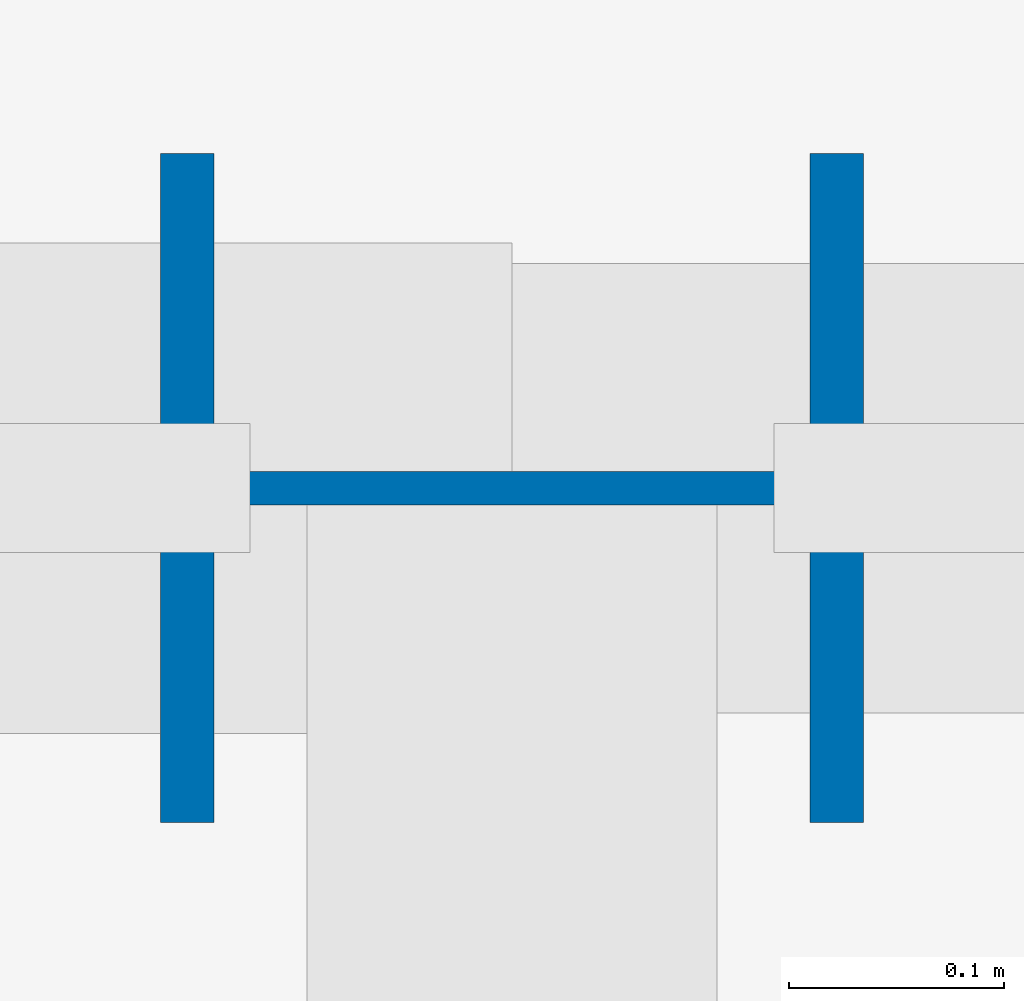
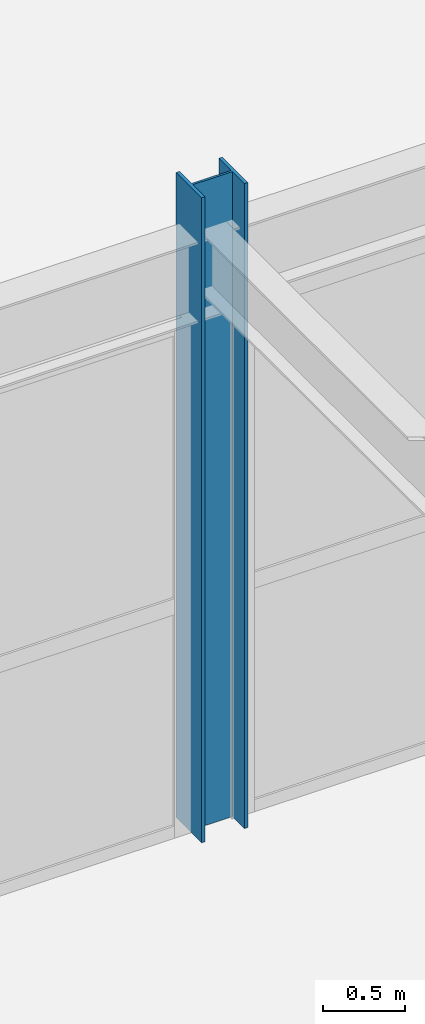
# One storey, part 48 of 199: 1 column.
"""IFC4 building model written with IfcOpenShell, lengths in metres."""

from ifc_helpers import new_model, si_unit, direction, frame, origin, origin_2d, place, context, subcontext, project, spatial, i_section, extrude, material, material_profile, profile_set, type_object, element, save


model = new_model("IFC4")

# Units and contexts
model_context = context("Model", 3, precision=1e-05, world=origin(), true_north=direction((0.0, 1.0)))
body_context = subcontext(model_context, "Body", "Model", "MODEL_VIEW")
ifc_project = project(units=[si_unit("LENGTHUNIT", "METRE"), si_unit("AREAUNIT", "SQUARE_METRE"), si_unit("VOLUMEUNIT", "CUBIC_METRE"), si_unit("PLANEANGLEUNIT", "RADIAN"), si_unit("MASSUNIT", "GRAM", prefix="KILO")], contexts=[model_context])

# Site, building, storey
site_placement = place(None, origin())
site = spatial("IfcSite", under=ifc_project, at=site_placement, CompositionType="ELEMENT")
building_placement = place(site_placement, origin())
building = spatial("IfcBuilding", under=site, at=building_placement, Name="Tarnwether General Hospital", CompositionType="ELEMENT")
storey_placement = place(building_placement, origin())
storey = spatial("IfcBuildingStorey", under=building, at=storey_placement, Name="L00", CompositionType="ELEMENT", Elevation=0.0)

# Column
ifc_material = material(Name="Steel Grade 350 (350 MPa)", Category="steel")
ifc_material_profile = material_profile(ifc_material, i_section(OverallWidth=0.31103515625, OverallDepth=0.326904296875, WebThickness=0.015625, FlangeThickness=0.02490234375, at=origin_2d()), Name="310UC158")
ifc_profile_set = profile_set([ifc_material_profile], Name="Steel Grade 350 (350 MPa)")
column_type = type_object("IfcColumnType", Name="COL-05", PredefinedType="COLUMN", material=ifc_profile_set)
column_placement = place(storey_placement, frame((180.0, 45.60009765625, 0.0), z_axis=(0.0, 0.0, 1.0), x_axis=(0.0, 1.0, 0.0)))
element("IfcColumn", 1, at=column_placement, inside=storey, type_object=column_type, Name="Column COLG-L00-18000_4560", PredefinedType="COLUMN", context=body_context, shape_type="SweptSolid", body=[
    extrude(i_section(OverallWidth=0.31103515625, OverallDepth=0.326904296875, WebThickness=0.015625, FlangeThickness=0.02490234375, at=origin_2d()), origin(), (0.0, 0.0, 1.0), 4.800048828125),
])

save(model, "model.ifc")
